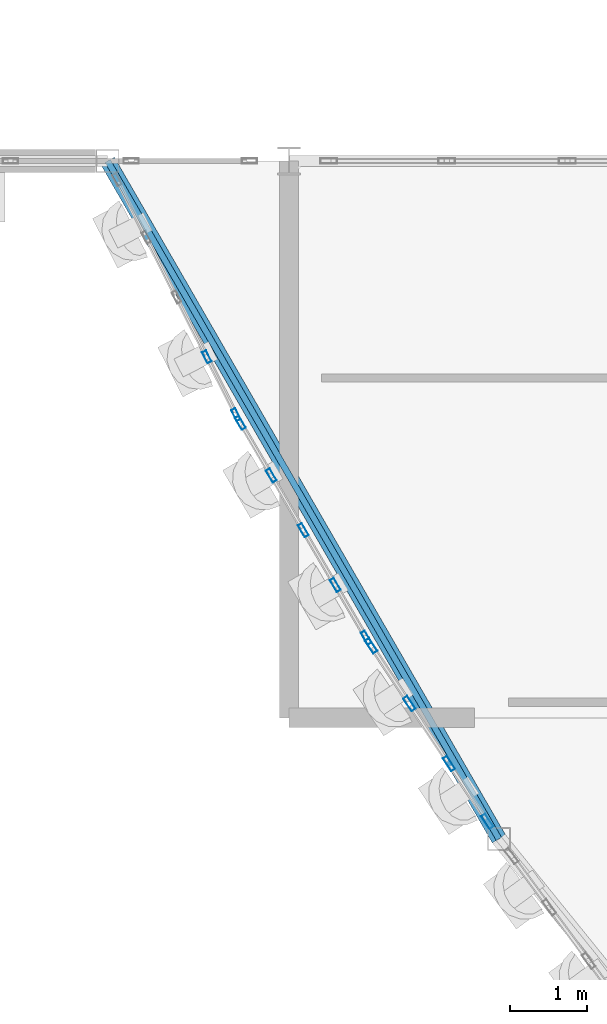
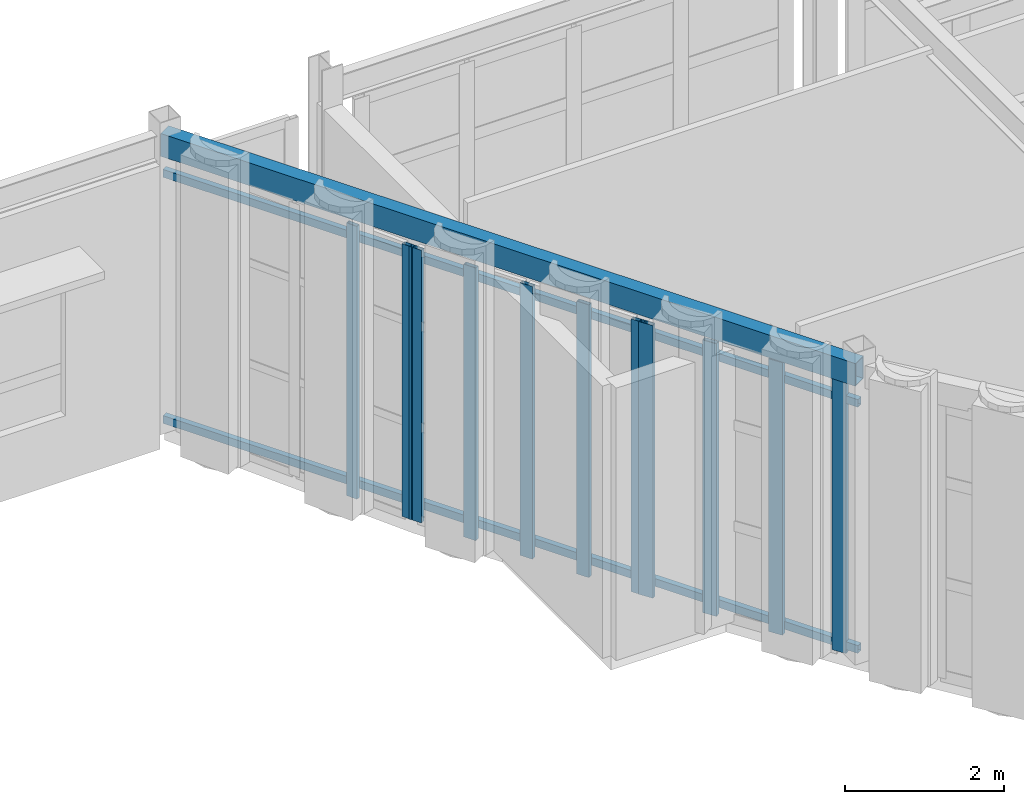
# One storey, part 16 of 121: 13 members, 1 beam, 3 elements without a shape of their own.
"""IFC4 building model written with IfcOpenShell, lengths in metres."""

from ifc_helpers import new_model, si_unit, direction, frame, origin, origin_2d, place, context, subcontext, project, spatial, hollow_rectangle, extrude, material, layer, layer_set, material_profile, profile_set, type_object, element, aggregate, save


model = new_model("IFC4")

# Units and contexts
model_context = context("Model", 3, precision=1e-05, world=origin(), true_north=direction((0.0, 1.0)))
body_context = subcontext(model_context, "Body", "Model", "MODEL_VIEW")
ifc_project = project(units=[si_unit("LENGTHUNIT", "METRE"), si_unit("AREAUNIT", "SQUARE_METRE"), si_unit("VOLUMEUNIT", "CUBIC_METRE"), si_unit("PLANEANGLEUNIT", "RADIAN"), si_unit("MASSUNIT", "GRAM", prefix="KILO")], contexts=[model_context])

# Site, building, storey
site_placement = place(None, origin())
site = spatial("IfcSite", under=ifc_project, at=site_placement, CompositionType="ELEMENT")
building_placement = place(site_placement, origin())
building = spatial("IfcBuilding", under=site, at=building_placement, Name="Solvadek Multi-Sports Hall", CompositionType="ELEMENT")
storey_placement = place(building_placement, frame((0.0, 0.0, 4.800048828125)))
storey = spatial("IfcBuildingStorey", under=building, at=storey_placement, Name="L01", CompositionType="ELEMENT", Elevation=4.800048828125)

# Curtain wall, members
ifc_material_1 = material(Name="Anodised aluminium", Category="aluminium")
ifc_layer_1 = layer(ifc_material_1, 0.159912109375, Name="Anodised aluminium")
ifc_layer_set_1 = layer_set([ifc_layer_1], Name="Anodised aluminium")
curtain_wall_type_1 = type_object("IfcCurtainWallType", Name="ENV-CW-347X420", PredefinedType="USERDEFINED", material=ifc_layer_set_1)
curtain_wall_1_placement = place(storey_placement, origin())
curtain_wall_1 = element("IfcCurtainWall", 1, at=curtain_wall_1_placement, inside=storey, type_object=curtain_wall_type_1, Name="L01 Crescent Curved Curtain Wall #1", ObjectType="CURTAIN WALL", PredefinedType="USERDEFINED")
ifc_material_profile_1 = material_profile(ifc_material_1, hollow_rectangle(XDim=0.06005859375, YDim=0.159912109375, WallThickness=0.00390625, at=origin_2d()), Name="ALU-M 160x60x4")
ifc_profile_set_1 = profile_set([ifc_material_profile_1], Name="Anodised aluminium")
member_type_1 = type_object("IfcMemberType", Name="ENV-CWM-01", PredefinedType="MULLION", material=ifc_profile_set_1)
member_1_placement = place(storey_placement, frame((27.73681640625, 17.866455078125, 0.0), z_axis=(0.0, 0.0, 1.0), x_axis=(0.892241043155, 0.451559432312, 0.0)))
member_1 = element("IfcMember", 2, at=member_1_placement, type_object=member_type_1, Name="CW-01 mullion 4", PredefinedType="MULLION", context=body_context, shape_type="SweptSolid", body=[
    extrude(hollow_rectangle(XDim=0.06005859375, YDim=0.159912109375, WallThickness=0.00390625, at=origin_2d()), origin(), (0.0, 0.0, 1.0), 4.199951171875),
])
member_2_placement = place(storey_placement, frame((28.114501953125, 17.120361328125, 0.0), z_axis=(0.0, 0.0, 1.0), x_axis=(0.892241043155, 0.451559432312, 0.0)))
member_2 = element("IfcMember", 3, at=member_2_placement, type_object=member_type_1, Name="CW-01 mullion 5", PredefinedType="MULLION", context=body_context, shape_type="SweptSolid", body=[
    extrude(hollow_rectangle(XDim=0.06005859375, YDim=0.159912109375, WallThickness=0.00390625, at=origin_2d()), origin(), (0.0, 0.0, 1.0), 4.199951171875),
])
aggregate(curtain_wall_1, [member_1, member_2])

ifc_layer_2 = layer(ifc_material_1, 0.159912109375, Name="Anodised aluminium")
ifc_layer_set_2 = layer_set([ifc_layer_2], Name="Anodised aluminium")
curtain_wall_type_2 = type_object("IfcCurtainWallType", Name="ENV-CW-328X420", PredefinedType="USERDEFINED", material=ifc_layer_set_2)
curtain_wall_2_placement = place(storey_placement, origin())
curtain_wall_2 = element("IfcCurtainWall", 4, at=curtain_wall_2_placement, inside=storey, type_object=curtain_wall_type_2, Name="L01 Crescent Curved Curtain Wall #3", ObjectType="CURTAIN WALL", PredefinedType="USERDEFINED")
ifc_material_profile_2 = material_profile(ifc_material_1, hollow_rectangle(XDim=0.06005859375, YDim=0.179931640625, WallThickness=0.00390625, at=origin_2d()), Name="ALU-M 180x60x4")
ifc_profile_set_2 = profile_set([ifc_material_profile_2], Name="Anodised aluminium")
member_type_2 = type_object("IfcMemberType", Name="ENV-CWM-02", PredefinedType="MULLION", material=ifc_profile_set_2)
member_3_placement = place(storey_placement, frame((28.171630859375, 17.014892578125, 0.0), z_axis=(0.0, 0.0, 1.0), x_axis=(0.863144739948, 0.504956590114, 0.0)))
member_3 = element("IfcMember", 5, at=member_3_placement, type_object=member_type_2, Name="CW-02 mullion 1", PredefinedType="MULLION", context=body_context, shape_type="SweptSolid", body=[
    extrude(hollow_rectangle(XDim=0.06005859375, YDim=0.179931640625, WallThickness=0.00390625, at=origin_2d()), origin(), (0.0, 0.0, 1.0), 4.199951171875),
])
member_4_placement = place(storey_placement, frame((28.57080078125, 16.332763671875, 0.0), z_axis=(0.0, 0.0, 1.0), x_axis=(0.863144739948, 0.504956590114, 0.0)))
member_4 = element("IfcMember", 6, at=member_4_placement, type_object=member_type_2, Name="CW-02 mullion 2", PredefinedType="MULLION", context=body_context, shape_type="SweptSolid", body=[
    extrude(hollow_rectangle(XDim=0.06005859375, YDim=0.179931640625, WallThickness=0.00390625, at=origin_2d()), origin(), (0.0, 0.0, 1.0), 4.199951171875),
])
member_5_placement = place(storey_placement, frame((28.98486328125, 15.625, 0.0), z_axis=(0.0, 0.0, 1.0), x_axis=(0.863144739948, 0.504956590114, 0.0)))
member_5 = element("IfcMember", 7, at=member_5_placement, type_object=member_type_2, Name="CW-02 mullion 3", PredefinedType="MULLION", context=body_context, shape_type="SweptSolid", body=[
    extrude(hollow_rectangle(XDim=0.06005859375, YDim=0.179931640625, WallThickness=0.00390625, at=origin_2d()), origin(), (0.0, 0.0, 1.0), 4.199951171875),
])
member_6_placement = place(storey_placement, frame((29.399169921875, 14.9169921875, 0.0), z_axis=(0.0, 0.0, 1.0), x_axis=(0.863144739948, 0.504956590114, 0.0)))
member_6 = element("IfcMember", 8, at=member_6_placement, type_object=member_type_2, Name="CW-02 mullion 4", PredefinedType="MULLION", context=body_context, shape_type="SweptSolid", body=[
    extrude(hollow_rectangle(XDim=0.06005859375, YDim=0.179931640625, WallThickness=0.00390625, at=origin_2d()), origin(), (0.0, 0.0, 1.0), 4.199951171875),
])
member_7_placement = place(storey_placement, frame((29.798095703125, 14.235107421875, 0.0), z_axis=(0.0, 0.0, 1.0), x_axis=(0.863144739948, 0.504956590114, 0.0)))
member_7 = element("IfcMember", 9, at=member_7_placement, type_object=member_type_2, Name="CW-02 mullion 5", PredefinedType="MULLION", context=body_context, shape_type="SweptSolid", body=[
    extrude(hollow_rectangle(XDim=0.06005859375, YDim=0.179931640625, WallThickness=0.00390625, at=origin_2d()), origin(), (0.0, 0.0, 1.0), 4.199951171875),
])
aggregate(curtain_wall_2, [member_3, member_4, member_5, member_6, member_7])

ifc_layer_3 = layer(ifc_material_1, 0.159912109375, Name="Anodised aluminium")
ifc_layer_set_3 = layer_set([ifc_layer_3], Name="Anodised aluminium")
curtain_wall_type_3 = type_object("IfcCurtainWallType", Name="ENV-CW-279X420", PredefinedType="USERDEFINED", material=ifc_layer_set_3)
curtain_wall_3_placement = place(storey_placement, origin())
curtain_wall_3 = element("IfcCurtainWall", 10, at=curtain_wall_3_placement, inside=storey, type_object=curtain_wall_type_3, Name="L01 Crescent Curved Curtain Wall #5", ObjectType="CURTAIN WALL", PredefinedType="USERDEFINED")
ifc_material_profile_3 = material_profile(ifc_material_1, hollow_rectangle(XDim=0.06494140625, YDim=0.199951171875, WallThickness=0.0048828125, at=origin_2d()), Name="ALU-M 200x65x5")
ifc_profile_set_3 = profile_set([ifc_material_profile_3], Name="Anodised aluminium")
member_type_3 = type_object("IfcMemberType", Name="ENV-CWM-03", PredefinedType="MULLION", material=ifc_profile_set_3)
member_8_placement = place(storey_placement, frame((29.86279296875, 14.131103515625, 0.0), z_axis=(0.0, 0.0, 1.0), x_axis=(0.834097230292, 0.551617449343, 0.0)))
member_8 = element("IfcMember", 11, at=member_8_placement, type_object=member_type_3, Name="CW-03 mullion 1", PredefinedType="MULLION", context=body_context, shape_type="SweptSolid", body=[
    extrude(hollow_rectangle(XDim=0.06494140625, YDim=0.199951171875, WallThickness=0.0048828125, at=origin_2d()), origin(), (0.0, 0.0, 1.0), 4.199951171875),
])
member_9_placement = place(storey_placement, frame((30.357421875, 13.383056640625, 0.0), z_axis=(0.0, 0.0, 1.0), x_axis=(0.834097230292, 0.551617449343, 0.0)))
member_9 = element("IfcMember", 12, at=member_9_placement, type_object=member_type_3, Name="CW-03 mullion 2", PredefinedType="MULLION", context=body_context, shape_type="SweptSolid", body=[
    extrude(hollow_rectangle(XDim=0.06494140625, YDim=0.199951171875, WallThickness=0.0048828125, at=origin_2d()), origin(), (0.0, 0.0, 1.0), 4.199951171875),
])
member_10_placement = place(storey_placement, frame((30.8701171875, 12.60791015625, 0.0), z_axis=(0.0, 0.0, 1.0), x_axis=(0.834097230292, 0.551617449343, 0.0)))
member_10 = element("IfcMember", 13, at=member_10_placement, type_object=member_type_3, Name="CW-03 mullion 3", PredefinedType="MULLION", context=body_context, shape_type="SweptSolid", body=[
    extrude(hollow_rectangle(XDim=0.06494140625, YDim=0.199951171875, WallThickness=0.0048828125, at=origin_2d()), origin(), (0.0, 0.0, 1.0), 4.199951171875),
])
member_11_placement = place(storey_placement, frame((31.364990234375, 11.859619140625, 0.0), z_axis=(0.0, 0.0, 1.0), x_axis=(0.834097230292, 0.551617449343, 0.0)))
member_11 = element("IfcMember", 14, at=member_11_placement, type_object=member_type_3, Name="CW-03 mullion 4", PredefinedType="MULLION", context=body_context, shape_type="SweptSolid", body=[
    extrude(hollow_rectangle(XDim=0.06494140625, YDim=0.199951171875, WallThickness=0.0048828125, at=origin_2d()), origin(), (0.0, 0.0, 1.0), 4.199951171875),
])
aggregate(curtain_wall_3, [member_8, member_9, member_10, member_11])

# Beam
ifc_material_2 = material(Name="Steel E350 (350 MPa)", Category="steel")
ifc_material_profile_4 = material_profile(ifc_material_2, hollow_rectangle(XDim=0.199951171875, YDim=0.35009765625, WallThickness=0.011962890625, at=origin_2d()), Name="RHS 350x200x12")
ifc_profile_set_4 = profile_set([ifc_material_profile_4], Name="Steel E350 (350 MPa)")
beam_type = type_object("IfcBeamType", Name="STR-SPN-RHS350", PredefinedType="SPANDREL", material=ifc_profile_set_4)
beam_placement = place(storey_placement, frame((26.45458984375, 20.39990234375, 4.385009765625), z_axis=(0.499895035967, -0.866085996316, 0.0), x_axis=(0.866085996316, 0.499895035967, 0.0)))
element("IfcBeam", 15, at=beam_placement, inside=storey, type_object=beam_type, Name="L01 Curved Crescent Spandrel #39", PredefinedType="SPANDREL", context=body_context, shape_type="SweptSolid", body=[
    extrude(hollow_rectangle(XDim=0.199951171875, YDim=0.35009765625, WallThickness=0.011962890625, at=origin_2d()), origin(), (0.0, 0.0, 1.0), 10.123291015625),
])

# Members
ifc_material_3 = material(Name="Steel E250 (250 MPa)", Category="steel")
ifc_material_profile_5 = material_profile(ifc_material_3, hollow_rectangle(XDim=0.080078125, YDim=0.1201171875, WallThickness=0.006103515625, at=origin_2d()), Name="RHS 120x80x6")
ifc_profile_set_5 = profile_set([ifc_material_profile_5], Name="Steel E250 (250 MPa)")
member_type_4 = type_object("IfcMemberType", Name="STR-STD-RHS120", PredefinedType="STUD", material=ifc_profile_set_5)
for number, where, z_axis, x_axis, name in (
    (16, (26.45458984375, 20.39990234375, 0.119873046875), (0.499895035967, -0.866085996316, 0.0), (0.866085996316, 0.499895035967, 0.0), "L01 Flute Subframe Rail W-1 bot"),
    (17, (26.45458984375, 20.39990234375, 3.909912109375), (0.499895035967, -0.866085996316, 0.0), (0.866085996316, 0.499895035967, 0.0), "L01 Flute Subframe Rail W-1 top"),
):
    element("IfcMember", number, at=place(storey_placement, frame(where, z_axis=z_axis, x_axis=x_axis)), inside=storey, type_object=member_type_4, Name=name, PredefinedType="STUD", context=body_context, shape_type="SweptSolid", body=[
        extrude(hollow_rectangle(XDim=0.080078125, YDim=0.1201171875, WallThickness=0.006103515625, at=origin_2d()), origin(), (0.0, 0.0, 1.0), 10.123291015625),
    ])

save(model, "model.ifc")
